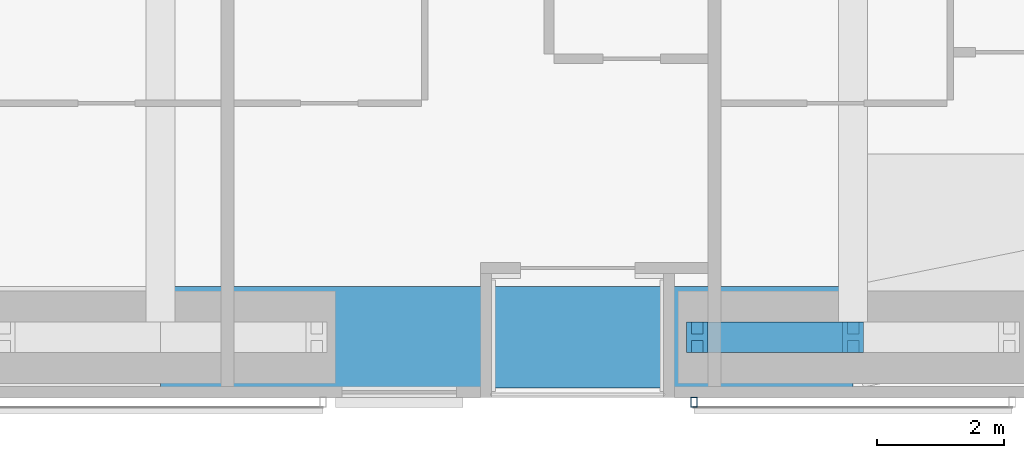
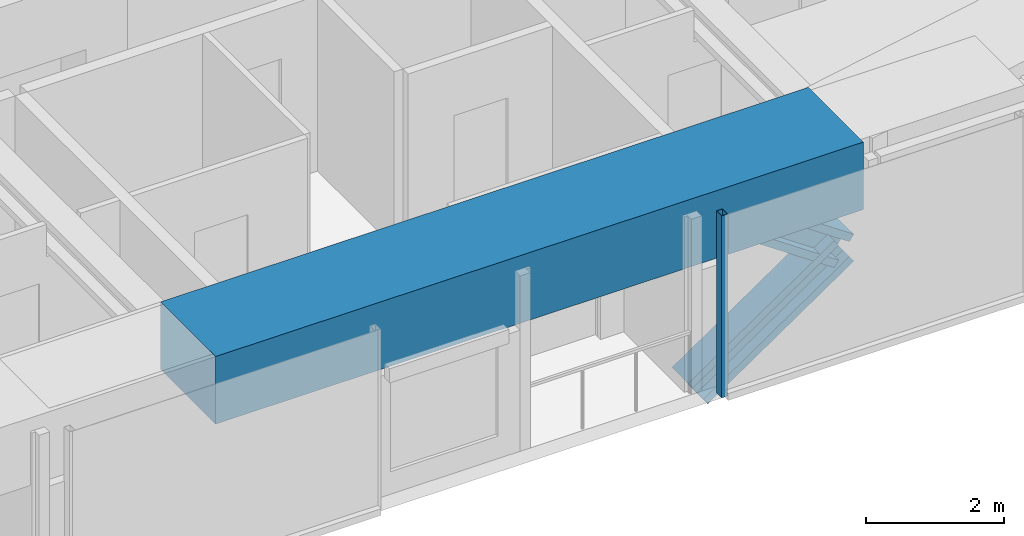
# One storey, part 6 of 25: 3 members, 1 beam, 1 element without a shape of its own.
"""IFC4 building model written with IfcOpenShell, lengths in metres."""

import ifcopenshell
import ifcopenshell.guid

model = None  # the IFC model being written
_history = None  # IfcOwnerHistory: only IFC2X3 demands one
_inside = {}  # id of a spatial element -> (the spatial element, [elements in it])
_under = {}  # id of a project, library or spatial element -> (it, [spatial elements below it])
_declared = {}  # id of a project -> (the project, [libraries it declares])
_typed = {}  # id of a type object -> (the type object, [elements of that type])
_made_of = {}  # id of a material, layer set ... -> (it, [elements and type objects made of it])


def new_model(schema):
    """Start an empty IFC model of exactly this schema.

    Asked for "IFC4X3", IfcOpenShell would pick the latest addendum, in which some entities
    have other attributes; the version numbers below select the first issue.
    IFC2X3 requires an IfcOwnerHistory on every rooted entity: one is made here for all.
    """
    global model, _history
    if schema == "IFC4X3":
        model = ifcopenshell.file(schema_version=(4, 3, 0, 0))
    else:
        model = ifcopenshell.file(schema=schema)
    _inside.clear()
    _under.clear()
    _declared.clear()
    _typed.clear()
    _made_of.clear()
    _history = None
    if model.schema == "IFC2X3":
        org = make("IfcOrganization", Name="unknown")
        user = make(
            "IfcPersonAndOrganization",
            ThePerson=make("IfcPerson", FamilyName="unknown"),
            TheOrganization=org,
        )
        app = make(
            "IfcApplication",
            ApplicationDeveloper=org,
            Version="unknown",
            ApplicationFullName="unknown",
            ApplicationIdentifier="unknown",
        )
        _history = make(
            "IfcOwnerHistory",
            OwningUser=user,
            OwningApplication=app,
            ChangeAction="ADDED",
            CreationDate=0,
        )
    return model


def make(cls, **values):
    """One entity of the class cls with the attributes given. An attribute that is None is left unset."""
    return model.create_entity(
        cls, **{name: value for name, value in values.items() if value is not None}
    )


def rooted(cls, **values):
    """An entity with a GlobalId (a new one), such as an element, a storey or a relation."""
    return make(cls, GlobalId=ifcopenshell.guid.new(), OwnerHistory=_history, **values)


def si_unit(unit_type, name, prefix=None):
    """IfcSIUnit, for example si_unit("LENGTHUNIT", "METRE", prefix="MILLI")."""
    return make("IfcSIUnit", UnitType=unit_type, Prefix=prefix, Name=name)


def assignment(units):
    """IfcUnitAssignment: the units of a project."""
    return None if units is None else make("IfcUnitAssignment", Units=units)


def point(xyz):
    """IfcCartesianPoint."""
    return None if xyz is None else make("IfcCartesianPoint", Coordinates=xyz)


def direction(xyz):
    """IfcDirection."""
    return None if xyz is None else make("IfcDirection", DirectionRatios=xyz)


def frame(location, z_axis=None, x_axis=None):
    """IfcAxis2Placement3D, a coordinate frame: its origin and axes. An axis left out is left unset."""
    return make(
        "IfcAxis2Placement3D",
        Location=point(location),
        Axis=direction(z_axis),
        RefDirection=direction(x_axis),
    )


def frame_2d(location, x_axis=None):
    """IfcAxis2Placement2D, a coordinate frame in the plane: its origin and x axis."""
    return make(
        "IfcAxis2Placement2D", Location=point(location), RefDirection=direction(x_axis)
    )


def origin():
    """The frame at (0, 0, 0) with its axes left unset."""
    return frame((0.0, 0.0, 0.0))


def origin_2d():
    """The frame at (0, 0) in the plane with its x axis left unset."""
    return frame_2d((0.0, 0.0))


def place(relative_to, where):
    """IfcLocalPlacement: puts the frame where relative to a parent placement (None: the world)."""
    return make(
        "IfcLocalPlacement", PlacementRelTo=relative_to, RelativePlacement=where
    )


def context(
    kind, dimensions, precision=None, world=None, true_north=None, identifier=None
):
    """IfcGeometricRepresentationContext, for example the 3D "Model" context."""
    return make(
        "IfcGeometricRepresentationContext",
        ContextIdentifier=identifier,
        ContextType=kind,
        CoordinateSpaceDimension=dimensions,
        Precision=precision,
        WorldCoordinateSystem=world,
        TrueNorth=true_north,
    )


def subcontext(parent, identifier, kind, view, scale=None):
    """IfcGeometricRepresentationSubContext, for example "Body" below "Model"."""
    return make(
        "IfcGeometricRepresentationSubContext",
        ContextIdentifier=identifier,
        ContextType=kind,
        ParentContext=parent,
        TargetScale=scale,
        TargetView=view,
    )


def project(units=None, contexts=None):
    """IfcProject with its units and contexts."""
    return rooted(
        "IfcProject",
        Name="project",
        RepresentationContexts=contexts,
        UnitsInContext=assignment(units),
    )


def spatial(cls, under=None, at=None, **own):
    """A site, building, storey or space (cls), placed at a placement, below another one or the project."""
    s = rooted(cls, ObjectPlacement=at, **own)
    if under is not None:
        _under.setdefault(under.id(), (under, []))[1].append(s)
    return s


def profile(cls, at=None, kind="AREA", **sizes):
    """A parametric profile (cls). Its sizes go by their IFC names, for example OverallWidth=200.0."""
    return make(cls, ProfileType=kind, Position=at, **sizes)


def rectangle(**sizes):
    """IfcRectangleProfileDef."""
    return profile("IfcRectangleProfileDef", **sizes)


def hollow_rectangle(**sizes):
    """IfcRectangleHollowProfileDef."""
    return profile("IfcRectangleHollowProfileDef", **sizes)


def i_section(**sizes):
    """IfcIShapeProfileDef."""
    return profile("IfcIShapeProfileDef", **sizes)


def extrude(swept, where, along, depth):
    """IfcExtrudedAreaSolid: the profile swept, set in the frame where, extruded along a direction by depth."""
    return make(
        "IfcExtrudedAreaSolid",
        SweptArea=swept,
        Position=where,
        ExtrudedDirection=direction(along),
        Depth=depth,
    )


def shape(context_of_items, identifier, shape_type, items):
    """IfcShapeRepresentation: the items that make up one representation, for example the "Body"."""
    return make(
        "IfcShapeRepresentation",
        ContextOfItems=context_of_items,
        RepresentationIdentifier=identifier,
        RepresentationType=shape_type,
        Items=items,
    )


def material(Name=None, Category=None):
    """IfcMaterial."""
    return make("IfcMaterial", Name=Name, Category=Category)


def material_profile(
    of_material, cross_section, Name=None, Category=None, Priority=None
):
    """IfcMaterialProfile: a cross section and its material."""
    return make(
        "IfcMaterialProfile",
        Name=Name,
        Material=of_material,
        Profile=cross_section,
        Priority=Priority,
        Category=Category,
    )


def profile_set(profiles, Name=None, composite=None):
    """IfcMaterialProfileSet."""
    return make(
        "IfcMaterialProfileSet",
        Name=Name,
        MaterialProfiles=profiles,
        CompositeProfile=composite,
    )


def made_of(thing, what):
    """Note that an element or type object is made of a material, layer set ...; save() writes the relation."""
    if what is not None:
        _made_of.setdefault(what.id(), (what, []))[1].append(thing)
    return thing


def type_object(cls, material=None, **own):
    """A type object (cls), such as IfcWallType, which elements share."""
    return made_of(rooted(cls, **own), material)


def element(
    cls,
    number,
    at=None,
    inside=None,
    cuts=None,
    type_object=None,
    material=None,
    context=None,
    identifier="Body",
    shape_type=None,
    held_by="IfcProductDefinitionShape",
    body=None,
    shapes=None,
    **own,
):
    """One element of the class cls, such as IfcWall. Its Tag is "e" and its number.

    at: its placement. inside: the storey or other place that contains it. cuts: it is an
    opening in that element (IfcRelVoidsElement). A single representation is given by context,
    identifier, shape_type and body (its items); several are given by shapes. held_by: the class
    of the entity that holds the representations. save() writes the other relations.
    """
    e = rooted(cls, Tag="e%d" % number, ObjectPlacement=at, **own)
    if body is not None:
        shapes = [shape(context, identifier, shape_type, body)]
    if shapes is not None:
        e.Representation = make(held_by, Representations=shapes)
    if inside is not None:
        _inside.setdefault(inside.id(), (inside, []))[1].append(e)
    if cuts is not None:
        rooted(
            "IfcRelVoidsElement", RelatingBuildingElement=cuts, RelatedOpeningElement=e
        )
    if type_object is not None:
        _typed.setdefault(type_object.id(), (type_object, []))[1].append(e)
    return made_of(e, material)


def aggregate(whole, parts):
    """IfcRelAggregates: a whole, such as a stair, and the parts it consists of."""
    return rooted("IfcRelAggregates", RelatingObject=whole, RelatedObjects=parts)


def save(model, path):
    """Write the relations noted so far, then the file.

    IfcRelAggregates (storeys below a building ...), IfcRelContainedInSpatialStructure (elements
    in a storey), IfcRelDefinesByType, IfcRelAssociatesMaterial and IfcRelDeclares: one each for
    every whole, place, type object, material and project.
    """
    for whole, parts in _under.values():
        aggregate(whole, parts)
    for where, things in _inside.values():
        rooted(
            "IfcRelContainedInSpatialStructure",
            RelatedElements=things,
            RelatingStructure=where,
        )
    for kind, things in _typed.values():
        rooted("IfcRelDefinesByType", RelatedObjects=things, RelatingType=kind)
    for what, things in _made_of.values():
        rooted("IfcRelAssociatesMaterial", RelatedObjects=things, RelatingMaterial=what)
    for by, libraries in _declared.values():
        rooted("IfcRelDeclares", RelatingContext=by, RelatedDefinitions=libraries)
    model.write(path)


model = new_model("IFC4")

# Units and contexts
model_context = context("Model", 3, precision=1e-05, world=origin(), true_north=direction((0.0, 1.0)))
body_context = subcontext(model_context, "Body", "Model", "MODEL_VIEW")
ifc_project = project(units=[si_unit("LENGTHUNIT", "METRE"), si_unit("AREAUNIT", "SQUARE_METRE"), si_unit("VOLUMEUNIT", "CUBIC_METRE"), si_unit("PLANEANGLEUNIT", "RADIAN"), si_unit("MASSUNIT", "GRAM", prefix="KILO")], contexts=[model_context])

# Site, building, storey
site_placement = place(None, origin())
site = spatial("IfcSite", under=ifc_project, at=site_placement, CompositionType="ELEMENT")
building_placement = place(site_placement, origin())
building = spatial("IfcBuilding", under=site, at=building_placement, Name="Jalousie Tower", CompositionType="ELEMENT")
storey_placement = place(building_placement, frame((0.0, 0.0, 98.14990234375)))
storey = spatial("IfcBuildingStorey", under=building, at=storey_placement, Name="L26", CompositionType="ELEMENT", Elevation=98.14990234375)

# Members
ifc_material_1 = material(Name="Steel ASTM A992 Grade 50", Category="steel")
ifc_material_profile_1 = material_profile(ifc_material_1, i_section(OverallWidth=0.472412109375, OverallDepth=0.5791015625, WebThickness=0.094970703125, FlangeThickness=0.1298828125, at=origin_2d()), Name="W14X808")
ifc_profile_set_1 = profile_set([ifc_material_profile_1], Name="Steel ASTM A992 Grade 50")
member_type_1 = type_object("IfcMemberType", Name="PERIMETER BRACE W14X808", PredefinedType="BRACE", material=ifc_profile_set_1)
for number, where, z_axis, x_axis, name in (
    (1, (36.175048828125, 0.949951171875, -0.599853515625), (0.825500916831, 0.0, 0.564400776321), (0.0, 1.0, 0.0), "Perimeter brace 04 L26 part 1"),
    (2, (38.625, 0.949951171875, 1.0751953125), (-0.825539243753, 0.0, 0.564344714713), (0.0, -1.0, 0.0), "Perimeter brace 04 L26 part 4"),
):
    element("IfcMember", number, at=place(storey_placement, frame(where, z_axis=z_axis, x_axis=x_axis)), inside=storey, type_object=member_type_1, Name=name, PredefinedType="BRACE", context=body_context, shape_type="SweptSolid", body=[
        extrude(i_section(OverallWidth=0.472412109375, OverallDepth=0.5791015625, WebThickness=0.094970703125, FlangeThickness=0.1298828125, at=origin_2d()), origin(), (0.0, 0.0, 1.0), 2.9677734375),
    ])

# Beam
ifc_material_2 = material(Name="Concrete f'c 40 MPa", Category="concrete")
ifc_material_profile_2 = material_profile(ifc_material_2, rectangle(XDim=1.60009765625, YDim=1.199951171875, at=origin_2d()), Name="RC 1600x1200")
ifc_profile_set_2 = profile_set([ifc_material_profile_2], Name="Concrete f'c 40 MPa")
beam_type = type_object("IfcBeamType", Name="RC BEAM 1600x1200", PredefinedType="BEAM", material=ifc_profile_set_2)
beam_placement = place(storey_placement, frame((27.75, 0.949951171875, 2.75), z_axis=(1.0, 0.0, 0.0), x_axis=(0.0, 1.0, 0.0)))
element("IfcBeam", 3, at=beam_placement, inside=storey, type_object=beam_type, Name="Edge band beam 03-04 under L27", PredefinedType="BEAM", context=body_context, shape_type="SweptSolid", body=[
    extrude(rectangle(XDim=1.60009765625, YDim=1.199951171875, at=origin_2d()), origin(), (0.0, 0.0, 1.0), 10.875),
])

# Curtain wall, member
ifc_material_3 = material(Name="Perforated aluminium sheet", Category="aluminium")
curtain_wall_type = type_object("IfcCurtainWallType", Name="SOLAR SCREEN SS-1", PredefinedType="USERDEFINED", material=ifc_material_3)
curtain_wall_placement = place(storey_placement, origin())
curtain_wall = element("IfcCurtainWall", 4, at=curtain_wall_placement, inside=storey, type_object=curtain_wall_type, Name="Solar screen L26", ObjectType="SOLAR SCREEN SS-1", PredefinedType="USERDEFINED")
ifc_material_4 = material(Name="Steel ASTM A500 Grade C", Category="steel")
ifc_material_profile_3 = material_profile(ifc_material_4, hollow_rectangle(XDim=0.1015625, YDim=0.15234375, WallThickness=0.00634765625, at=origin_2d()), Name="HSS6X4X1/4")
ifc_profile_set_3 = profile_set([ifc_material_profile_3], Name="Steel ASTM A500 Grade C")
member_type_2 = type_object("IfcMemberType", Name="SOLAR SCREEN SS-1 MULLION", PredefinedType="MULLION", material=ifc_profile_set_3)
member_placement = place(storey_placement, frame((36.125, -0.0712890625, -0.119873046875), z_axis=(0.0, 0.0, 1.0), x_axis=(1.0, 0.0, 0.0)))
member = element("IfcMember", 5, at=member_placement, type_object=member_type_2, Name="SS1 post 1", PredefinedType="MULLION", context=body_context, shape_type="SweptSolid", body=[
    extrude(hollow_rectangle(XDim=0.1015625, YDim=0.15234375, WallThickness=0.00634765625, at=origin_2d()), origin(), (0.0, 0.0, 1.0), 3.22998046875),
])
aggregate(curtain_wall, [member])

save(model, "model.ifc")
